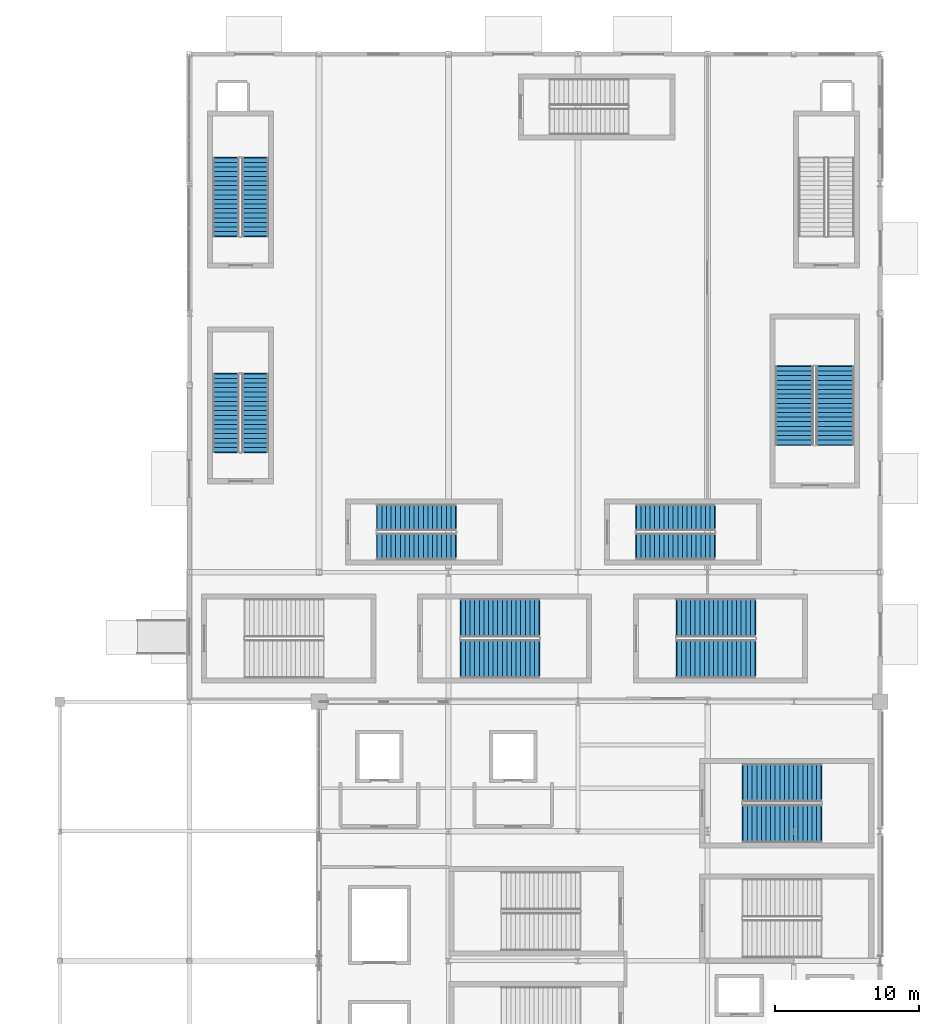
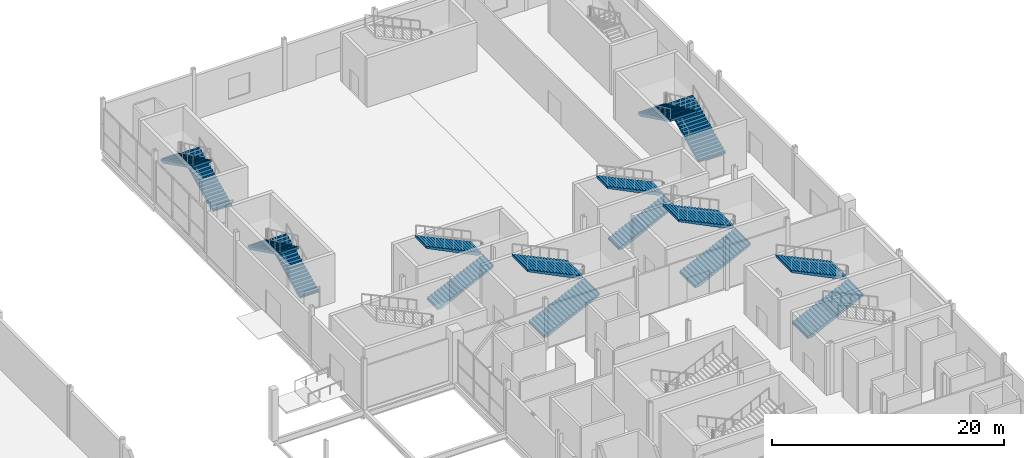
# One storey, part 67 of 94: 16 stair flights, 8 elements without a shape of their own.
"""IFC4 building model written with IfcOpenShell, lengths in metres."""

from ifc_helpers import new_model, si_unit, direction, frame, origin, place, context, subcontext, project, spatial, polyline, outline, extrude, material, type_object, element, aggregate, save


model = new_model("IFC4")

# Units and contexts
model_context = context("Model", 3, precision=1e-05, world=origin(), true_north=direction((0.0, 1.0)))
body_context = subcontext(model_context, "Body", "Model", "MODEL_VIEW")
ifc_project = project(units=[si_unit("LENGTHUNIT", "METRE"), si_unit("AREAUNIT", "SQUARE_METRE"), si_unit("VOLUMEUNIT", "CUBIC_METRE"), si_unit("PLANEANGLEUNIT", "RADIAN"), si_unit("MASSUNIT", "GRAM", prefix="KILO")], contexts=[model_context])

# Site, building, storey
site_placement = place(None, origin())
site = spatial("IfcSite", under=ifc_project, at=site_placement, CompositionType="ELEMENT")
building_placement = place(site_placement, origin())
building = spatial("IfcBuilding", under=site, at=building_placement, Name="Qamarlyn Nura Convention Centre", CompositionType="ELEMENT")
storey_placement = place(building_placement, origin())
storey = spatial("IfcBuildingStorey", under=building, at=storey_placement, Name="L00", CompositionType="ELEMENT", Elevation=0.0)

# Stair, stair flights
ifc_material = material(Name="Concrete C40/50", Category="concrete")
stair_type_1 = type_object("IfcStairType", Name="STAIR-EXIT-54", PredefinedType="HALF_TURN_STAIR", material=ifc_material)
stair_1_placement = place(storey_placement, origin())
stair_1 = element("IfcStair", 1, at=stair_1_placement, inside=storey, type_object=stair_type_1, Name="L00 Enclosed exit stair ST-14", PredefinedType="HALF_TURN_STAIR")
stair_flight_type_1 = type_object("IfcStairFlightType", Name="FLIGHT-EXIT-54", PredefinedType="STRAIGHT", material=ifc_material)
stair_flight_1_placement = place(storey_placement, frame((182.4599609375, 72.530029296875, 0.0), z_axis=(0.0, 0.0, 1.0), x_axis=(1.0, 0.0, 0.0)))
stair_flight_1 = element("IfcStairFlight", 2, at=stair_flight_1_placement, type_object=stair_flight_type_1, Name="ST-14 flight 1", NumberOfRisers=18, NumberOfTreads=17, PredefinedType="STRAIGHT", RiserHeight=0.15, TreadLength=0.32, context=body_context, shape_type="SweptSolid", body=[
    extrude(outline(polyline([(-0.054931640625, 0.0), (0.0, 0.0), (0.0, 0.14990234375), (0.320068359375, 0.14990234375), (0.320068359375, 0.300048828125), (0.639892578125, 0.300048828125), (0.639892578125, 0.449951171875), (0.9599609375, 0.449951171875), (0.9599609375, 0.60009765625), (1.280029296875, 0.60009765625), (1.280029296875, 0.75), (1.60009765625, 0.75), (1.60009765625, 0.89990234375), (1.919921875, 0.89990234375), (1.919921875, 1.050048828125), (2.239990234375, 1.050048828125), (2.239990234375, 1.199951171875), (2.56005859375, 1.199951171875), (2.56005859375, 1.35009765625), (2.8798828125, 1.35009765625), (2.8798828125, 1.5), (3.199951171875, 1.5), (3.199951171875, 1.64990234375), (3.52001953125, 1.64990234375), (3.52001953125, 1.800048828125), (3.840087890625, 1.800048828125), (3.840087890625, 1.949951171875), (4.159912109375, 1.949951171875), (4.159912109375, 2.10009765625), (4.47998046875, 2.10009765625), (4.47998046875, 2.25), (4.800048828125, 2.25), (4.800048828125, 2.39990234375), (5.1201171875, 2.39990234375), (5.1201171875, 2.550048828125), (5.43994140625, 2.550048828125), (5.43994140625, 2.699951171875), (5.494873046875, 2.699951171875), (5.494873046875, 2.56005859375), (5.43994140625, 2.384521484375), (0.353271484375, -0.139892578125), (-0.054931640625, -0.139892578125), (-0.054931640625, 0.0)])), frame((0.0, 1.330078125, 0.0), z_axis=(0.0, -1.0, 0.0), x_axis=(1.0, 0.0, 0.0)), (0.0, 0.0, 1.0), 2.659912109375),
])
stair_flight_2_placement = place(storey_placement, frame((187.89990234375, 75.3701171875, 2.699951171875), z_axis=(0.0, 0.0, 1.0), x_axis=(-1.0, 0.0, 0.0)))
stair_flight_2 = element("IfcStairFlight", 3, at=stair_flight_2_placement, type_object=stair_flight_type_1, Name="ST-14 flight 2", NumberOfRisers=18, NumberOfTreads=17, PredefinedType="STRAIGHT", RiserHeight=0.15, TreadLength=0.32, context=body_context, shape_type="SweptSolid", body=[
    extrude(outline(polyline([(-0.054931640625, 0.0), (0.0, 0.0), (0.0, 0.14990234375), (0.320068359375, 0.14990234375), (0.320068359375, 0.300048828125), (0.639892578125, 0.300048828125), (0.639892578125, 0.449951171875), (0.9599609375, 0.449951171875), (0.9599609375, 0.60009765625), (1.280029296875, 0.60009765625), (1.280029296875, 0.75), (1.60009765625, 0.75), (1.60009765625, 0.89990234375), (1.919921875, 0.89990234375), (1.919921875, 1.050048828125), (2.239990234375, 1.050048828125), (2.239990234375, 1.199951171875), (2.56005859375, 1.199951171875), (2.56005859375, 1.35009765625), (2.8798828125, 1.35009765625), (2.8798828125, 1.5), (3.199951171875, 1.5), (3.199951171875, 1.64990234375), (3.52001953125, 1.64990234375), (3.52001953125, 1.800048828125), (3.840087890625, 1.800048828125), (3.840087890625, 1.949951171875), (4.159912109375, 1.949951171875), (4.159912109375, 2.10009765625), (4.47998046875, 2.10009765625), (4.47998046875, 2.25), (4.800048828125, 2.25), (4.800048828125, 2.39990234375), (5.1201171875, 2.39990234375), (5.1201171875, 2.550048828125), (5.43994140625, 2.550048828125), (5.43994140625, 2.699951171875), (5.494873046875, 2.699951171875), (5.494873046875, 2.56005859375), (5.43994140625, 2.384521484375), (0.353271484375, -0.139892578125), (-0.054931640625, -0.139892578125), (-0.054931640625, 0.0)])), frame((0.0, 1.330078125, 0.0), z_axis=(0.0, -1.0, 0.0), x_axis=(1.0, 0.0, 0.0)), (0.0, 0.0, 1.0), 2.659912109375),
])
aggregate(stair_1, [stair_flight_1, stair_flight_2])

stair_2_placement = place(storey_placement, origin())
stair_2 = element("IfcStair", 4, at=stair_2_placement, inside=storey, type_object=stair_type_1, Name="L00 Enclosed exit stair ST-16", PredefinedType="HALF_TURN_STAIR")
stair_flight_3_placement = place(storey_placement, frame((162.860107421875, 83.97998046875, 0.0), z_axis=(0.0, 0.0, 1.0), x_axis=(1.0, 0.0, 0.0)))
stair_flight_3 = element("IfcStairFlight", 5, at=stair_flight_3_placement, type_object=stair_flight_type_1, Name="ST-16 flight 1", NumberOfRisers=18, NumberOfTreads=17, PredefinedType="STRAIGHT", RiserHeight=0.15, TreadLength=0.32, context=body_context, shape_type="SweptSolid", body=[
    extrude(outline(polyline([(-0.054931640625, 0.0), (0.0, 0.0), (0.0, 0.14990234375), (0.320068359375, 0.14990234375), (0.320068359375, 0.300048828125), (0.639892578125, 0.300048828125), (0.639892578125, 0.449951171875), (0.9599609375, 0.449951171875), (0.9599609375, 0.60009765625), (1.280029296875, 0.60009765625), (1.280029296875, 0.75), (1.60009765625, 0.75), (1.60009765625, 0.89990234375), (1.919921875, 0.89990234375), (1.919921875, 1.050048828125), (2.239990234375, 1.050048828125), (2.239990234375, 1.199951171875), (2.56005859375, 1.199951171875), (2.56005859375, 1.35009765625), (2.8798828125, 1.35009765625), (2.8798828125, 1.5), (3.199951171875, 1.5), (3.199951171875, 1.64990234375), (3.52001953125, 1.64990234375), (3.52001953125, 1.800048828125), (3.840087890625, 1.800048828125), (3.840087890625, 1.949951171875), (4.159912109375, 1.949951171875), (4.159912109375, 2.10009765625), (4.47998046875, 2.10009765625), (4.47998046875, 2.25), (4.800048828125, 2.25), (4.800048828125, 2.39990234375), (5.1201171875, 2.39990234375), (5.1201171875, 2.550048828125), (5.43994140625, 2.550048828125), (5.43994140625, 2.699951171875), (5.494873046875, 2.699951171875), (5.494873046875, 2.56005859375), (5.43994140625, 2.384521484375), (0.353271484375, -0.139892578125), (-0.054931640625, -0.139892578125), (-0.054931640625, 0.0)])), frame((0.0, 1.330078125, 0.0), z_axis=(0.0, -1.0, 0.0), x_axis=(1.0, 0.0, 0.0)), (0.0, 0.0, 1.0), 2.659912109375),
])
stair_flight_4_placement = place(storey_placement, frame((168.300048828125, 86.820068359375, 2.699951171875), z_axis=(0.0, 0.0, 1.0), x_axis=(-1.0, 0.0, 0.0)))
stair_flight_4 = element("IfcStairFlight", 6, at=stair_flight_4_placement, type_object=stair_flight_type_1, Name="ST-16 flight 2", NumberOfRisers=18, NumberOfTreads=17, PredefinedType="STRAIGHT", RiserHeight=0.15, TreadLength=0.32, context=body_context, shape_type="SweptSolid", body=[
    extrude(outline(polyline([(-0.054931640625, 0.0), (0.0, 0.0), (0.0, 0.14990234375), (0.320068359375, 0.14990234375), (0.320068359375, 0.300048828125), (0.639892578125, 0.300048828125), (0.639892578125, 0.449951171875), (0.9599609375, 0.449951171875), (0.9599609375, 0.60009765625), (1.280029296875, 0.60009765625), (1.280029296875, 0.75), (1.60009765625, 0.75), (1.60009765625, 0.89990234375), (1.919921875, 0.89990234375), (1.919921875, 1.050048828125), (2.239990234375, 1.050048828125), (2.239990234375, 1.199951171875), (2.56005859375, 1.199951171875), (2.56005859375, 1.35009765625), (2.8798828125, 1.35009765625), (2.8798828125, 1.5), (3.199951171875, 1.5), (3.199951171875, 1.64990234375), (3.52001953125, 1.64990234375), (3.52001953125, 1.800048828125), (3.840087890625, 1.800048828125), (3.840087890625, 1.949951171875), (4.159912109375, 1.949951171875), (4.159912109375, 2.10009765625), (4.47998046875, 2.10009765625), (4.47998046875, 2.25), (4.800048828125, 2.25), (4.800048828125, 2.39990234375), (5.1201171875, 2.39990234375), (5.1201171875, 2.550048828125), (5.43994140625, 2.550048828125), (5.43994140625, 2.699951171875), (5.494873046875, 2.699951171875), (5.494873046875, 2.56005859375), (5.43994140625, 2.384521484375), (0.353271484375, -0.139892578125), (-0.054931640625, -0.139892578125), (-0.054931640625, 0.0)])), frame((0.0, 1.330078125, 0.0), z_axis=(0.0, -1.0, 0.0), x_axis=(1.0, 0.0, 0.0)), (0.0, 0.0, 1.0), 2.659912109375),
])
aggregate(stair_2, [stair_flight_3, stair_flight_4])

stair_3_placement = place(storey_placement, origin())
stair_3 = element("IfcStair", 7, at=stair_3_placement, inside=storey, type_object=stair_type_1, Name="L00 Enclosed exit stair ST-17", PredefinedType="HALF_TURN_STAIR")
stair_flight_5_placement = place(storey_placement, frame((177.860107421875, 83.97998046875, 0.0), z_axis=(0.0, 0.0, 1.0), x_axis=(1.0, 0.0, 0.0)))
stair_flight_5 = element("IfcStairFlight", 8, at=stair_flight_5_placement, type_object=stair_flight_type_1, Name="ST-17 flight 1", NumberOfRisers=18, NumberOfTreads=17, PredefinedType="STRAIGHT", RiserHeight=0.15, TreadLength=0.32, context=body_context, shape_type="SweptSolid", body=[
    extrude(outline(polyline([(-0.054931640625, 0.0), (0.0, 0.0), (0.0, 0.14990234375), (0.320068359375, 0.14990234375), (0.320068359375, 0.300048828125), (0.639892578125, 0.300048828125), (0.639892578125, 0.449951171875), (0.9599609375, 0.449951171875), (0.9599609375, 0.60009765625), (1.280029296875, 0.60009765625), (1.280029296875, 0.75), (1.60009765625, 0.75), (1.60009765625, 0.89990234375), (1.919921875, 0.89990234375), (1.919921875, 1.050048828125), (2.239990234375, 1.050048828125), (2.239990234375, 1.199951171875), (2.56005859375, 1.199951171875), (2.56005859375, 1.35009765625), (2.8798828125, 1.35009765625), (2.8798828125, 1.5), (3.199951171875, 1.5), (3.199951171875, 1.64990234375), (3.52001953125, 1.64990234375), (3.52001953125, 1.800048828125), (3.840087890625, 1.800048828125), (3.840087890625, 1.949951171875), (4.159912109375, 1.949951171875), (4.159912109375, 2.10009765625), (4.47998046875, 2.10009765625), (4.47998046875, 2.25), (4.800048828125, 2.25), (4.800048828125, 2.39990234375), (5.1201171875, 2.39990234375), (5.1201171875, 2.550048828125), (5.43994140625, 2.550048828125), (5.43994140625, 2.699951171875), (5.494873046875, 2.699951171875), (5.494873046875, 2.56005859375), (5.43994140625, 2.384521484375), (0.353271484375, -0.139892578125), (-0.054931640625, -0.139892578125), (-0.054931640625, 0.0)])), frame((0.0, 1.330078125, 0.0), z_axis=(0.0, -1.0, 0.0), x_axis=(1.0, 0.0, 0.0)), (0.0, 0.0, 1.0), 2.659912109375),
])
stair_flight_6_placement = place(storey_placement, frame((183.300048828125, 86.820068359375, 2.699951171875), z_axis=(0.0, 0.0, 1.0), x_axis=(-1.0, 0.0, 0.0)))
stair_flight_6 = element("IfcStairFlight", 9, at=stair_flight_6_placement, type_object=stair_flight_type_1, Name="ST-17 flight 2", NumberOfRisers=18, NumberOfTreads=17, PredefinedType="STRAIGHT", RiserHeight=0.15, TreadLength=0.32, context=body_context, shape_type="SweptSolid", body=[
    extrude(outline(polyline([(-0.054931640625, 0.0), (0.0, 0.0), (0.0, 0.14990234375), (0.320068359375, 0.14990234375), (0.320068359375, 0.300048828125), (0.639892578125, 0.300048828125), (0.639892578125, 0.449951171875), (0.9599609375, 0.449951171875), (0.9599609375, 0.60009765625), (1.280029296875, 0.60009765625), (1.280029296875, 0.75), (1.60009765625, 0.75), (1.60009765625, 0.89990234375), (1.919921875, 0.89990234375), (1.919921875, 1.050048828125), (2.239990234375, 1.050048828125), (2.239990234375, 1.199951171875), (2.56005859375, 1.199951171875), (2.56005859375, 1.35009765625), (2.8798828125, 1.35009765625), (2.8798828125, 1.5), (3.199951171875, 1.5), (3.199951171875, 1.64990234375), (3.52001953125, 1.64990234375), (3.52001953125, 1.800048828125), (3.840087890625, 1.800048828125), (3.840087890625, 1.949951171875), (4.159912109375, 1.949951171875), (4.159912109375, 2.10009765625), (4.47998046875, 2.10009765625), (4.47998046875, 2.25), (4.800048828125, 2.25), (4.800048828125, 2.39990234375), (5.1201171875, 2.39990234375), (5.1201171875, 2.550048828125), (5.43994140625, 2.550048828125), (5.43994140625, 2.699951171875), (5.494873046875, 2.699951171875), (5.494873046875, 2.56005859375), (5.43994140625, 2.384521484375), (0.353271484375, -0.139892578125), (-0.054931640625, -0.139892578125), (-0.054931640625, 0.0)])), frame((0.0, 1.330078125, 0.0), z_axis=(0.0, -1.0, 0.0), x_axis=(1.0, 0.0, 0.0)), (0.0, 0.0, 1.0), 2.659912109375),
])
aggregate(stair_3, [stair_flight_5, stair_flight_6])

stair_4_placement = place(storey_placement, origin())
stair_4 = element("IfcStair", 10, at=stair_4_placement, inside=storey, type_object=stair_type_1, Name="L00 Enclosed exit stair ST-18", PredefinedType="HALF_TURN_STAIR")
stair_flight_7_placement = place(storey_placement, frame((188.8701171875, 98.860107421875, 0.0), z_axis=(0.0, 0.0, 1.0), x_axis=(0.0, 1.0, 0.0)))
stair_flight_7 = element("IfcStairFlight", 11, at=stair_flight_7_placement, type_object=stair_flight_type_1, Name="ST-18 flight 1", NumberOfRisers=18, NumberOfTreads=17, PredefinedType="STRAIGHT", RiserHeight=0.15, TreadLength=0.32, context=body_context, shape_type="SweptSolid", body=[
    extrude(outline(polyline([(-0.054931640625, 0.0), (0.0, 0.0), (0.0, 0.14990234375), (0.320068359375, 0.14990234375), (0.320068359375, 0.300048828125), (0.639892578125, 0.300048828125), (0.639892578125, 0.449951171875), (0.9599609375, 0.449951171875), (0.9599609375, 0.60009765625), (1.280029296875, 0.60009765625), (1.280029296875, 0.75), (1.60009765625, 0.75), (1.60009765625, 0.89990234375), (1.919921875, 0.89990234375), (1.919921875, 1.050048828125), (2.239990234375, 1.050048828125), (2.239990234375, 1.199951171875), (2.56005859375, 1.199951171875), (2.56005859375, 1.35009765625), (2.8798828125, 1.35009765625), (2.8798828125, 1.5), (3.199951171875, 1.5), (3.199951171875, 1.64990234375), (3.52001953125, 1.64990234375), (3.52001953125, 1.800048828125), (3.840087890625, 1.800048828125), (3.840087890625, 1.949951171875), (4.159912109375, 1.949951171875), (4.159912109375, 2.10009765625), (4.47998046875, 2.10009765625), (4.47998046875, 2.25), (4.800048828125, 2.25), (4.800048828125, 2.39990234375), (5.1201171875, 2.39990234375), (5.1201171875, 2.550048828125), (5.43994140625, 2.550048828125), (5.43994140625, 2.699951171875), (5.494873046875, 2.699951171875), (5.494873046875, 2.56005859375), (5.43994140625, 2.384521484375), (0.353271484375, -0.139892578125), (-0.054931640625, -0.139892578125), (-0.054931640625, 0.0)])), frame((0.0, 1.330078125, 0.0), z_axis=(0.0, -1.0, 0.0), x_axis=(1.0, 0.0, 0.0)), (0.0, 0.0, 1.0), 2.659912109375),
])
stair_flight_8_placement = place(storey_placement, frame((186.030029296875, 104.300048828125, 2.699951171875), z_axis=(0.0, 0.0, 1.0), x_axis=(0.0, -1.0, 0.0)))
stair_flight_8 = element("IfcStairFlight", 12, at=stair_flight_8_placement, type_object=stair_flight_type_1, Name="ST-18 flight 2", NumberOfRisers=18, NumberOfTreads=17, PredefinedType="STRAIGHT", RiserHeight=0.15, TreadLength=0.32, context=body_context, shape_type="SweptSolid", body=[
    extrude(outline(polyline([(-0.054931640625, 0.0), (0.0, 0.0), (0.0, 0.14990234375), (0.320068359375, 0.14990234375), (0.320068359375, 0.300048828125), (0.639892578125, 0.300048828125), (0.639892578125, 0.449951171875), (0.9599609375, 0.449951171875), (0.9599609375, 0.60009765625), (1.280029296875, 0.60009765625), (1.280029296875, 0.75), (1.60009765625, 0.75), (1.60009765625, 0.89990234375), (1.919921875, 0.89990234375), (1.919921875, 1.050048828125), (2.239990234375, 1.050048828125), (2.239990234375, 1.199951171875), (2.56005859375, 1.199951171875), (2.56005859375, 1.35009765625), (2.8798828125, 1.35009765625), (2.8798828125, 1.5), (3.199951171875, 1.5), (3.199951171875, 1.64990234375), (3.52001953125, 1.64990234375), (3.52001953125, 1.800048828125), (3.840087890625, 1.800048828125), (3.840087890625, 1.949951171875), (4.159912109375, 1.949951171875), (4.159912109375, 2.10009765625), (4.47998046875, 2.10009765625), (4.47998046875, 2.25), (4.800048828125, 2.25), (4.800048828125, 2.39990234375), (5.1201171875, 2.39990234375), (5.1201171875, 2.550048828125), (5.43994140625, 2.550048828125), (5.43994140625, 2.699951171875), (5.494873046875, 2.699951171875), (5.494873046875, 2.56005859375), (5.43994140625, 2.384521484375), (0.353271484375, -0.139892578125), (-0.054931640625, -0.139892578125), (-0.054931640625, 0.0)])), frame((0.0, 1.330078125, 0.0), z_axis=(0.0, -1.0, 0.0), x_axis=(1.0, 0.0, 0.0)), (0.0, 0.0, 1.0), 2.659912109375),
])
aggregate(stair_4, [stair_flight_7, stair_flight_8])

stair_type_2 = type_object("IfcStairType", Name="STAIR-VOM-54", PredefinedType="HALF_TURN_STAIR", material=ifc_material)
stair_5_placement = place(storey_placement, origin())
stair_5 = element("IfcStair", 13, at=stair_5_placement, inside=storey, type_object=stair_type_2, Name="L00 Plenary vomitory stair ST-VOM1", PredefinedType="HALF_TURN_STAIR")
stair_flight_type_2 = type_object("IfcStairFlightType", Name="FLIGHT-VOM-54", PredefinedType="STRAIGHT", material=ifc_material)
stair_flight_9_placement = place(storey_placement, frame((148.574951171875, 98.35009765625, 0.0), z_axis=(0.0, 0.0, 1.0), x_axis=(0.0, 1.0, 0.0)))
stair_flight_9 = element("IfcStairFlight", 14, at=stair_flight_9_placement, type_object=stair_flight_type_2, Name="ST-VOM1 flight 1", NumberOfRisers=18, NumberOfTreads=17, PredefinedType="STRAIGHT", RiserHeight=0.15, TreadLength=0.32, context=body_context, shape_type="SweptSolid", body=[
    extrude(outline(polyline([(-0.054931640625, 0.0), (0.0, 0.0), (0.0, 0.14990234375), (0.320068359375, 0.14990234375), (0.320068359375, 0.300048828125), (0.639892578125, 0.300048828125), (0.639892578125, 0.449951171875), (0.9599609375, 0.449951171875), (0.9599609375, 0.60009765625), (1.280029296875, 0.60009765625), (1.280029296875, 0.75), (1.60009765625, 0.75), (1.60009765625, 0.89990234375), (1.919921875, 0.89990234375), (1.919921875, 1.050048828125), (2.239990234375, 1.050048828125), (2.239990234375, 1.199951171875), (2.56005859375, 1.199951171875), (2.56005859375, 1.35009765625), (2.8798828125, 1.35009765625), (2.8798828125, 1.5), (3.199951171875, 1.5), (3.199951171875, 1.64990234375), (3.52001953125, 1.64990234375), (3.52001953125, 1.800048828125), (3.840087890625, 1.800048828125), (3.840087890625, 1.949951171875), (4.159912109375, 1.949951171875), (4.159912109375, 2.10009765625), (4.47998046875, 2.10009765625), (4.47998046875, 2.25), (4.800048828125, 2.25), (4.800048828125, 2.39990234375), (5.1201171875, 2.39990234375), (5.1201171875, 2.550048828125), (5.43994140625, 2.550048828125), (5.43994140625, 2.699951171875), (5.494873046875, 2.699951171875), (5.494873046875, 2.56005859375), (5.43994140625, 2.384521484375), (0.353271484375, -0.139892578125), (-0.054931640625, -0.139892578125), (-0.054931640625, 0.0)])), frame((0.0, 0.925048828125, 0.0), z_axis=(0.0, -1.0, 0.0), x_axis=(1.0, 0.0, 0.0)), (0.0, 0.0, 1.0), 1.85009765625),
])
stair_flight_10_placement = place(storey_placement, frame((146.544921875, 103.7900390625, 2.699951171875), z_axis=(0.0, 0.0, 1.0), x_axis=(0.0, -1.0, 0.0)))
stair_flight_10 = element("IfcStairFlight", 15, at=stair_flight_10_placement, type_object=stair_flight_type_2, Name="ST-VOM1 flight 2", NumberOfRisers=18, NumberOfTreads=17, PredefinedType="STRAIGHT", RiserHeight=0.15, TreadLength=0.32, context=body_context, shape_type="SweptSolid", body=[
    extrude(outline(polyline([(-0.054931640625, 0.0), (0.0, 0.0), (0.0, 0.14990234375), (0.320068359375, 0.14990234375), (0.320068359375, 0.300048828125), (0.639892578125, 0.300048828125), (0.639892578125, 0.449951171875), (0.9599609375, 0.449951171875), (0.9599609375, 0.60009765625), (1.280029296875, 0.60009765625), (1.280029296875, 0.75), (1.60009765625, 0.75), (1.60009765625, 0.89990234375), (1.919921875, 0.89990234375), (1.919921875, 1.050048828125), (2.239990234375, 1.050048828125), (2.239990234375, 1.199951171875), (2.56005859375, 1.199951171875), (2.56005859375, 1.35009765625), (2.8798828125, 1.35009765625), (2.8798828125, 1.5), (3.199951171875, 1.5), (3.199951171875, 1.64990234375), (3.52001953125, 1.64990234375), (3.52001953125, 1.800048828125), (3.840087890625, 1.800048828125), (3.840087890625, 1.949951171875), (4.159912109375, 1.949951171875), (4.159912109375, 2.10009765625), (4.47998046875, 2.10009765625), (4.47998046875, 2.25), (4.800048828125, 2.25), (4.800048828125, 2.39990234375), (5.1201171875, 2.39990234375), (5.1201171875, 2.550048828125), (5.43994140625, 2.550048828125), (5.43994140625, 2.699951171875), (5.494873046875, 2.699951171875), (5.494873046875, 2.56005859375), (5.43994140625, 2.384521484375), (0.353271484375, -0.139892578125), (-0.054931640625, -0.139892578125), (-0.054931640625, 0.0)])), frame((0.0, 0.925048828125, 0.0), z_axis=(0.0, -1.0, 0.0), x_axis=(1.0, 0.0, 0.0)), (0.0, 0.0, 1.0), 1.85009765625),
])
aggregate(stair_5, [stair_flight_9, stair_flight_10])

stair_6_placement = place(storey_placement, origin())
stair_6 = element("IfcStair", 16, at=stair_6_placement, inside=storey, type_object=stair_type_2, Name="L00 Plenary vomitory stair ST-VOM2", PredefinedType="HALF_TURN_STAIR")
stair_flight_11_placement = place(storey_placement, frame((148.574951171875, 113.35009765625, 0.0), z_axis=(0.0, 0.0, 1.0), x_axis=(0.0, 1.0, 0.0)))
stair_flight_11 = element("IfcStairFlight", 17, at=stair_flight_11_placement, type_object=stair_flight_type_2, Name="ST-VOM2 flight 1", NumberOfRisers=18, NumberOfTreads=17, PredefinedType="STRAIGHT", RiserHeight=0.15, TreadLength=0.32, context=body_context, shape_type="SweptSolid", body=[
    extrude(outline(polyline([(-0.054931640625, 0.0), (0.0, 0.0), (0.0, 0.14990234375), (0.320068359375, 0.14990234375), (0.320068359375, 0.300048828125), (0.639892578125, 0.300048828125), (0.639892578125, 0.449951171875), (0.9599609375, 0.449951171875), (0.9599609375, 0.60009765625), (1.280029296875, 0.60009765625), (1.280029296875, 0.75), (1.60009765625, 0.75), (1.60009765625, 0.89990234375), (1.919921875, 0.89990234375), (1.919921875, 1.050048828125), (2.239990234375, 1.050048828125), (2.239990234375, 1.199951171875), (2.56005859375, 1.199951171875), (2.56005859375, 1.35009765625), (2.8798828125, 1.35009765625), (2.8798828125, 1.5), (3.199951171875, 1.5), (3.199951171875, 1.64990234375), (3.52001953125, 1.64990234375), (3.52001953125, 1.800048828125), (3.840087890625, 1.800048828125), (3.840087890625, 1.949951171875), (4.159912109375, 1.949951171875), (4.159912109375, 2.10009765625), (4.47998046875, 2.10009765625), (4.47998046875, 2.25), (4.800048828125, 2.25), (4.800048828125, 2.39990234375), (5.1201171875, 2.39990234375), (5.1201171875, 2.550048828125), (5.43994140625, 2.550048828125), (5.43994140625, 2.699951171875), (5.494873046875, 2.699951171875), (5.494873046875, 2.56005859375), (5.43994140625, 2.384521484375), (0.353271484375, -0.139892578125), (-0.054931640625, -0.139892578125), (-0.054931640625, 0.0)])), frame((0.0, 0.925048828125, 0.0), z_axis=(0.0, -1.0, 0.0), x_axis=(1.0, 0.0, 0.0)), (0.0, 0.0, 1.0), 1.85009765625),
])
stair_flight_12_placement = place(storey_placement, frame((146.544921875, 118.7900390625, 2.699951171875), z_axis=(0.0, 0.0, 1.0), x_axis=(0.0, -1.0, 0.0)))
stair_flight_12 = element("IfcStairFlight", 18, at=stair_flight_12_placement, type_object=stair_flight_type_2, Name="ST-VOM2 flight 2", NumberOfRisers=18, NumberOfTreads=17, PredefinedType="STRAIGHT", RiserHeight=0.15, TreadLength=0.32, context=body_context, shape_type="SweptSolid", body=[
    extrude(outline(polyline([(-0.054931640625, 0.0), (0.0, 0.0), (0.0, 0.14990234375), (0.320068359375, 0.14990234375), (0.320068359375, 0.300048828125), (0.639892578125, 0.300048828125), (0.639892578125, 0.449951171875), (0.9599609375, 0.449951171875), (0.9599609375, 0.60009765625), (1.280029296875, 0.60009765625), (1.280029296875, 0.75), (1.60009765625, 0.75), (1.60009765625, 0.89990234375), (1.919921875, 0.89990234375), (1.919921875, 1.050048828125), (2.239990234375, 1.050048828125), (2.239990234375, 1.199951171875), (2.56005859375, 1.199951171875), (2.56005859375, 1.35009765625), (2.8798828125, 1.35009765625), (2.8798828125, 1.5), (3.199951171875, 1.5), (3.199951171875, 1.64990234375), (3.52001953125, 1.64990234375), (3.52001953125, 1.800048828125), (3.840087890625, 1.800048828125), (3.840087890625, 1.949951171875), (4.159912109375, 1.949951171875), (4.159912109375, 2.10009765625), (4.47998046875, 2.10009765625), (4.47998046875, 2.25), (4.800048828125, 2.25), (4.800048828125, 2.39990234375), (5.1201171875, 2.39990234375), (5.1201171875, 2.550048828125), (5.43994140625, 2.550048828125), (5.43994140625, 2.699951171875), (5.494873046875, 2.699951171875), (5.494873046875, 2.56005859375), (5.43994140625, 2.384521484375), (0.353271484375, -0.139892578125), (-0.054931640625, -0.139892578125), (-0.054931640625, 0.0)])), frame((0.0, 0.925048828125, 0.0), z_axis=(0.0, -1.0, 0.0), x_axis=(1.0, 0.0, 0.0)), (0.0, 0.0, 1.0), 1.85009765625),
])
aggregate(stair_6, [stair_flight_11, stair_flight_12])

stair_7_placement = place(storey_placement, origin())
stair_7 = element("IfcStair", 19, at=stair_7_placement, inside=storey, type_object=stair_type_2, Name="L00 Plenary vomitory stair ST-VOM3", PredefinedType="HALF_TURN_STAIR")
stair_flight_13_placement = place(storey_placement, frame((157.050048828125, 91.77490234375, 0.0), z_axis=(0.0, 0.0, 1.0), x_axis=(1.0, 0.0, 0.0)))
stair_flight_13 = element("IfcStairFlight", 20, at=stair_flight_13_placement, type_object=stair_flight_type_2, Name="ST-VOM3 flight 1", NumberOfRisers=18, NumberOfTreads=17, PredefinedType="STRAIGHT", RiserHeight=0.15, TreadLength=0.32, context=body_context, shape_type="SweptSolid", body=[
    extrude(outline(polyline([(-0.054931640625, 0.0), (0.0, 0.0), (0.0, 0.14990234375), (0.320068359375, 0.14990234375), (0.320068359375, 0.300048828125), (0.639892578125, 0.300048828125), (0.639892578125, 0.449951171875), (0.9599609375, 0.449951171875), (0.9599609375, 0.60009765625), (1.280029296875, 0.60009765625), (1.280029296875, 0.75), (1.60009765625, 0.75), (1.60009765625, 0.89990234375), (1.919921875, 0.89990234375), (1.919921875, 1.050048828125), (2.239990234375, 1.050048828125), (2.239990234375, 1.199951171875), (2.56005859375, 1.199951171875), (2.56005859375, 1.35009765625), (2.8798828125, 1.35009765625), (2.8798828125, 1.5), (3.199951171875, 1.5), (3.199951171875, 1.64990234375), (3.52001953125, 1.64990234375), (3.52001953125, 1.800048828125), (3.840087890625, 1.800048828125), (3.840087890625, 1.949951171875), (4.159912109375, 1.949951171875), (4.159912109375, 2.10009765625), (4.47998046875, 2.10009765625), (4.47998046875, 2.25), (4.800048828125, 2.25), (4.800048828125, 2.39990234375), (5.1201171875, 2.39990234375), (5.1201171875, 2.550048828125), (5.43994140625, 2.550048828125), (5.43994140625, 2.699951171875), (5.494873046875, 2.699951171875), (5.494873046875, 2.56005859375), (5.43994140625, 2.384521484375), (0.353271484375, -0.139892578125), (-0.054931640625, -0.139892578125), (-0.054931640625, 0.0)])), frame((0.0, 0.925048828125, 0.0), z_axis=(0.0, -1.0, 0.0), x_axis=(1.0, 0.0, 0.0)), (0.0, 0.0, 1.0), 1.85009765625),
])
stair_flight_14_placement = place(storey_placement, frame((162.489990234375, 93.804931640625, 2.699951171875), z_axis=(0.0, 0.0, 1.0), x_axis=(-1.0, 0.0, 0.0)))
stair_flight_14 = element("IfcStairFlight", 21, at=stair_flight_14_placement, type_object=stair_flight_type_2, Name="ST-VOM3 flight 2", NumberOfRisers=18, NumberOfTreads=17, PredefinedType="STRAIGHT", RiserHeight=0.15, TreadLength=0.32, context=body_context, shape_type="SweptSolid", body=[
    extrude(outline(polyline([(-0.054931640625, 0.0), (0.0, 0.0), (0.0, 0.14990234375), (0.320068359375, 0.14990234375), (0.320068359375, 0.300048828125), (0.639892578125, 0.300048828125), (0.639892578125, 0.449951171875), (0.9599609375, 0.449951171875), (0.9599609375, 0.60009765625), (1.280029296875, 0.60009765625), (1.280029296875, 0.75), (1.60009765625, 0.75), (1.60009765625, 0.89990234375), (1.919921875, 0.89990234375), (1.919921875, 1.050048828125), (2.239990234375, 1.050048828125), (2.239990234375, 1.199951171875), (2.56005859375, 1.199951171875), (2.56005859375, 1.35009765625), (2.8798828125, 1.35009765625), (2.8798828125, 1.5), (3.199951171875, 1.5), (3.199951171875, 1.64990234375), (3.52001953125, 1.64990234375), (3.52001953125, 1.800048828125), (3.840087890625, 1.800048828125), (3.840087890625, 1.949951171875), (4.159912109375, 1.949951171875), (4.159912109375, 2.10009765625), (4.47998046875, 2.10009765625), (4.47998046875, 2.25), (4.800048828125, 2.25), (4.800048828125, 2.39990234375), (5.1201171875, 2.39990234375), (5.1201171875, 2.550048828125), (5.43994140625, 2.550048828125), (5.43994140625, 2.699951171875), (5.494873046875, 2.699951171875), (5.494873046875, 2.56005859375), (5.43994140625, 2.384521484375), (0.353271484375, -0.139892578125), (-0.054931640625, -0.139892578125), (-0.054931640625, 0.0)])), frame((0.0, 0.925048828125, 0.0), z_axis=(0.0, -1.0, 0.0), x_axis=(1.0, 0.0, 0.0)), (0.0, 0.0, 1.0), 1.85009765625),
])
aggregate(stair_7, [stair_flight_13, stair_flight_14])

stair_8_placement = place(storey_placement, origin())
stair_8 = element("IfcStair", 22, at=stair_8_placement, inside=storey, type_object=stair_type_2, Name="L00 Plenary vomitory stair ST-VOM4", PredefinedType="HALF_TURN_STAIR")
stair_flight_15_placement = place(storey_placement, frame((175.050048828125, 91.77490234375, 0.0), z_axis=(0.0, 0.0, 1.0), x_axis=(1.0, 0.0, 0.0)))
stair_flight_15 = element("IfcStairFlight", 23, at=stair_flight_15_placement, type_object=stair_flight_type_2, Name="ST-VOM4 flight 1", NumberOfRisers=18, NumberOfTreads=17, PredefinedType="STRAIGHT", RiserHeight=0.15, TreadLength=0.32, context=body_context, shape_type="SweptSolid", body=[
    extrude(outline(polyline([(-0.054931640625, 0.0), (0.0, 0.0), (0.0, 0.14990234375), (0.320068359375, 0.14990234375), (0.320068359375, 0.300048828125), (0.639892578125, 0.300048828125), (0.639892578125, 0.449951171875), (0.9599609375, 0.449951171875), (0.9599609375, 0.60009765625), (1.280029296875, 0.60009765625), (1.280029296875, 0.75), (1.60009765625, 0.75), (1.60009765625, 0.89990234375), (1.919921875, 0.89990234375), (1.919921875, 1.050048828125), (2.239990234375, 1.050048828125), (2.239990234375, 1.199951171875), (2.56005859375, 1.199951171875), (2.56005859375, 1.35009765625), (2.8798828125, 1.35009765625), (2.8798828125, 1.5), (3.199951171875, 1.5), (3.199951171875, 1.64990234375), (3.52001953125, 1.64990234375), (3.52001953125, 1.800048828125), (3.840087890625, 1.800048828125), (3.840087890625, 1.949951171875), (4.159912109375, 1.949951171875), (4.159912109375, 2.10009765625), (4.47998046875, 2.10009765625), (4.47998046875, 2.25), (4.800048828125, 2.25), (4.800048828125, 2.39990234375), (5.1201171875, 2.39990234375), (5.1201171875, 2.550048828125), (5.43994140625, 2.550048828125), (5.43994140625, 2.699951171875), (5.494873046875, 2.699951171875), (5.494873046875, 2.56005859375), (5.43994140625, 2.384521484375), (0.353271484375, -0.139892578125), (-0.054931640625, -0.139892578125), (-0.054931640625, 0.0)])), frame((0.0, 0.925048828125, 0.0), z_axis=(0.0, -1.0, 0.0), x_axis=(1.0, 0.0, 0.0)), (0.0, 0.0, 1.0), 1.85009765625),
])
stair_flight_16_placement = place(storey_placement, frame((180.489990234375, 93.804931640625, 2.699951171875), z_axis=(0.0, 0.0, 1.0), x_axis=(-1.0, 0.0, 0.0)))
stair_flight_16 = element("IfcStairFlight", 24, at=stair_flight_16_placement, type_object=stair_flight_type_2, Name="ST-VOM4 flight 2", NumberOfRisers=18, NumberOfTreads=17, PredefinedType="STRAIGHT", RiserHeight=0.15, TreadLength=0.32, context=body_context, shape_type="SweptSolid", body=[
    extrude(outline(polyline([(-0.054931640625, 0.0), (0.0, 0.0), (0.0, 0.14990234375), (0.320068359375, 0.14990234375), (0.320068359375, 0.300048828125), (0.639892578125, 0.300048828125), (0.639892578125, 0.449951171875), (0.9599609375, 0.449951171875), (0.9599609375, 0.60009765625), (1.280029296875, 0.60009765625), (1.280029296875, 0.75), (1.60009765625, 0.75), (1.60009765625, 0.89990234375), (1.919921875, 0.89990234375), (1.919921875, 1.050048828125), (2.239990234375, 1.050048828125), (2.239990234375, 1.199951171875), (2.56005859375, 1.199951171875), (2.56005859375, 1.35009765625), (2.8798828125, 1.35009765625), (2.8798828125, 1.5), (3.199951171875, 1.5), (3.199951171875, 1.64990234375), (3.52001953125, 1.64990234375), (3.52001953125, 1.800048828125), (3.840087890625, 1.800048828125), (3.840087890625, 1.949951171875), (4.159912109375, 1.949951171875), (4.159912109375, 2.10009765625), (4.47998046875, 2.10009765625), (4.47998046875, 2.25), (4.800048828125, 2.25), (4.800048828125, 2.39990234375), (5.1201171875, 2.39990234375), (5.1201171875, 2.550048828125), (5.43994140625, 2.550048828125), (5.43994140625, 2.699951171875), (5.494873046875, 2.699951171875), (5.494873046875, 2.56005859375), (5.43994140625, 2.384521484375), (0.353271484375, -0.139892578125), (-0.054931640625, -0.139892578125), (-0.054931640625, 0.0)])), frame((0.0, 0.925048828125, 0.0), z_axis=(0.0, -1.0, 0.0), x_axis=(1.0, 0.0, 0.0)), (0.0, 0.0, 1.0), 1.85009765625),
])
aggregate(stair_8, [stair_flight_15, stair_flight_16])

save(model, "model.ifc")
